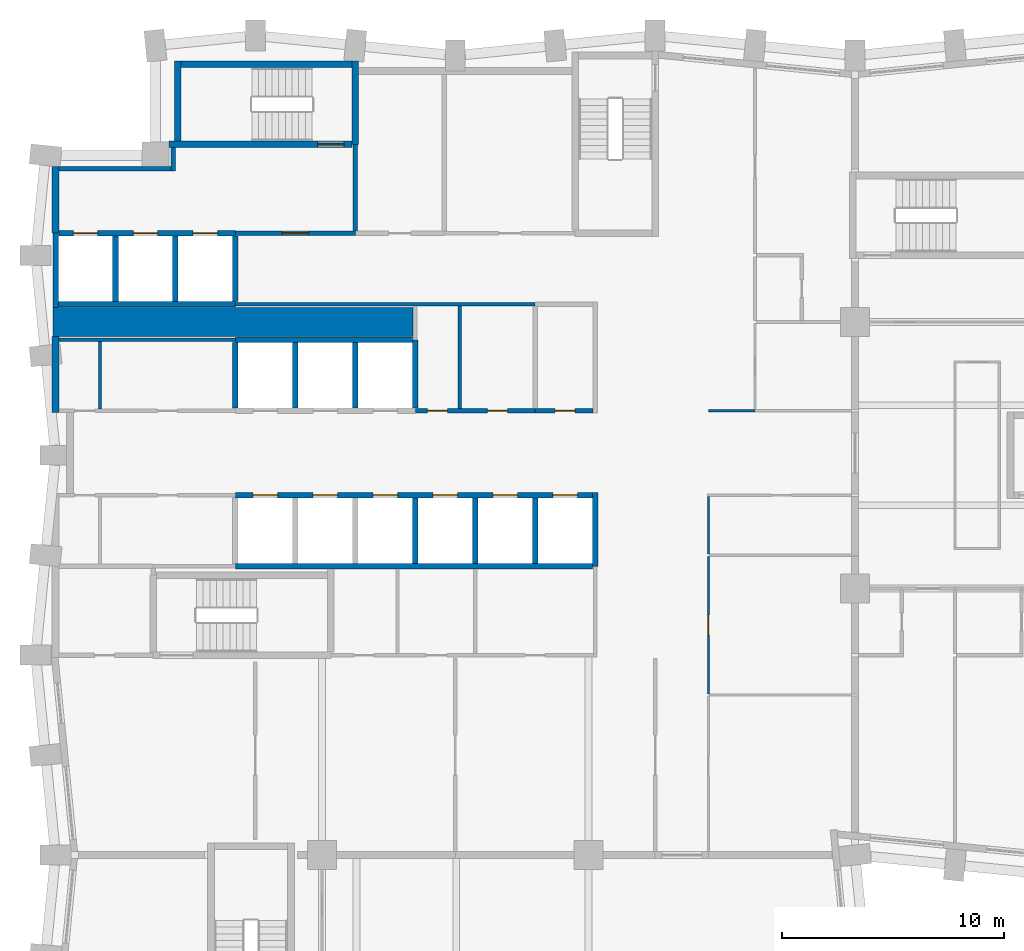
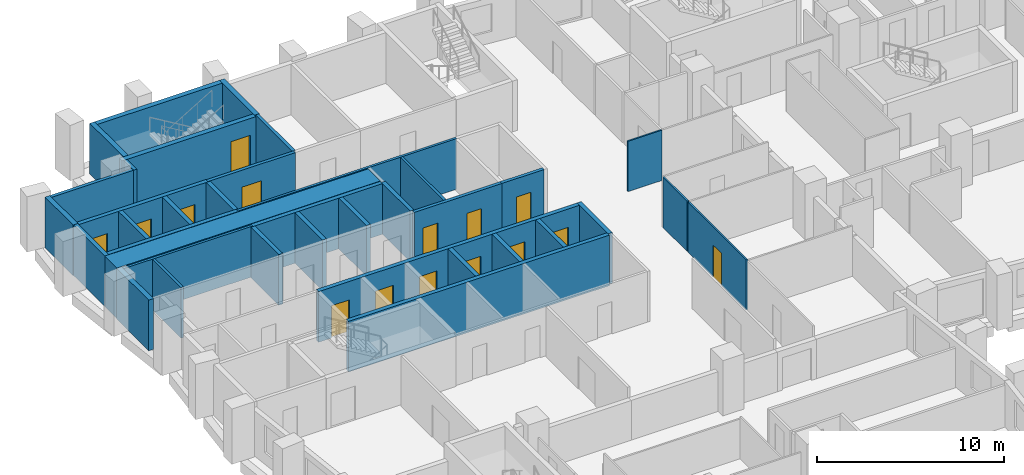
# One storey, part 6 of 12: 37 walls, 15 doors, 15 openings.
"""IFC4 building model written with IfcOpenShell, lengths in metres."""

from ifc_helpers import new_model, si_unit, direction, frame, frame_2d, origin, place, context, subcontext, project, spatial, rectangle, extrude, material, layer, layer_set, type_object, element, fill, save


model = new_model("IFC4")

# Units and contexts
model_context = context("Model", 3, precision=1e-05, world=origin(), true_north=direction((0.0, 1.0)))
body_context = subcontext(model_context, "Body", "Model", "MODEL_VIEW")
ifc_project = project(units=[si_unit("LENGTHUNIT", "METRE"), si_unit("AREAUNIT", "SQUARE_METRE"), si_unit("VOLUMEUNIT", "CUBIC_METRE"), si_unit("PLANEANGLEUNIT", "RADIAN"), si_unit("MASSUNIT", "GRAM", prefix="KILO")], contexts=[model_context])

# Site, building, storey
site_placement = place(None, origin())
site = spatial("IfcSite", under=ifc_project, at=site_placement, CompositionType="ELEMENT")
building_placement = place(site_placement, origin())
building = spatial("IfcBuilding", under=site, at=building_placement, Name="Brondeck Convention Tower", CompositionType="ELEMENT")
storey_placement = place(building_placement, frame((0.0, 0.0, 51.89990234375)))
storey = spatial("IfcBuildingStorey", under=building, at=storey_placement, Name="L10", CompositionType="ELEMENT", Elevation=51.89990234375)

# Walls
ifc_material_1 = material(Name="Concrete C80/95", Category="concrete")
ifc_layer_1 = layer(ifc_material_1, 0.300048828125)
ifc_layer_set_1 = layer_set([ifc_layer_1], Name="Core outer wall 300 Concrete C80/95")
wall_type_1 = type_object("IfcWallType", Name="Core outer wall 300 Concrete C80/95", PredefinedType="SHEAR", material=ifc_layer_set_1)
wall_1_placement = place(storey_placement, frame((0.0, 46.925048828125, 0.0), z_axis=(0.0, 0.0, 1.0), x_axis=(0.0, 1.0, 0.0)))
element("IfcWall", 1, at=wall_1_placement, inside=storey, type_object=wall_type_1, Name="L10 core wall", PredefinedType="SHEAR", context=body_context, shape_type="SweptSolid", body=[
    extrude(rectangle(XDim=3.425048828125, YDim=0.300048828125, at=frame_2d((1.71240234375, 0.0))), origin(), (0.0, 0.0, 1.0), 3.300048828125),
])
wall_2_placement = place(storey_placement, frame((0.0, 55.0, 0.0), z_axis=(0.0, 0.0, 1.0), x_axis=(0.0, 1.0, 0.0)))
element("IfcWall", 2, at=wall_2_placement, inside=storey, type_object=wall_type_1, Name="L10 core wall", PredefinedType="SHEAR", context=body_context, shape_type="SweptSolid", body=[
    extrude(rectangle(XDim=3.0, YDim=0.300048828125, at=frame_2d((1.5, 0.0))), origin(), (0.0, 0.0, 1.0), 3.300048828125),
])
ifc_material_2 = material(Name="Fire-rated gypsum board partition")
ifc_layer_2 = layer(ifc_material_2, 0.14990234375)
ifc_layer_set_2 = layer_set([ifc_layer_2], Name="Core partition 150 EI 60")
wall_type_2 = type_object("IfcWallType", Name="Core partition 150 EI 60", PredefinedType="PARTITIONING", material=ifc_layer_set_2)
wall_3_placement = place(storey_placement, frame((0.14990234375, 50.199951171875, 0.0), z_axis=(0.0, 0.0, 1.0), x_axis=(1.0, 0.0, 0.0)))
element("IfcWall", 3, at=wall_3_placement, inside=storey, type_object=wall_type_2, Name="L10 core wall", PredefinedType="PARTITIONING", context=body_context, shape_type="SweptSolid", body=[
    extrude(rectangle(XDim=7.9501953125, YDim=0.14990234375, at=frame_2d((3.97509765625, 0.0))), origin(), (0.0, 0.0, 1.0), 3.300048828125),
])
wall_4_placement = place(storey_placement, frame((8.10009765625, 51.800048828125, 0.0), z_axis=(0.0, 0.0, 1.0), x_axis=(1.0, 0.0, 0.0)))
element("IfcWall", 4, at=wall_4_placement, inside=storey, type_object=wall_type_2, Name="L10 core wall", PredefinedType="PARTITIONING", context=body_context, shape_type="SweptSolid", body=[
    extrude(rectangle(XDim=13.5, YDim=0.14990234375, at=frame_2d((6.75, 0.0))), origin(), (0.0, 0.0, 1.0), 3.300048828125),
])
wall_5_placement = place(storey_placement, frame((2.0, 47.074951171875, 0.0), z_axis=(0.0, 0.0, 1.0), x_axis=(0.0, 1.0, 0.0)))
element("IfcWall", 5, at=wall_5_placement, inside=storey, type_object=wall_type_2, Name="L10 core wall", PredefinedType="PARTITIONING", context=body_context, shape_type="SweptSolid", body=[
    extrude(rectangle(XDim=3.050048828125, YDim=0.14990234375, at=frame_2d((1.52490234375, 0.0))), origin(), (0.0, 0.0, 1.0), 3.300048828125),
])
wall_6_placement = place(storey_placement, frame((18.199951171875, 47.10009765625, 0.0), z_axis=(0.0, 0.0, 1.0), x_axis=(0.0, 1.0, 0.0)))
element("IfcWall", 6, at=wall_6_placement, inside=storey, type_object=wall_type_2, Name="L10 core wall", PredefinedType="PARTITIONING", context=body_context, shape_type="SweptSolid", body=[
    extrude(rectangle(XDim=4.625, YDim=0.14990234375, at=frame_2d((2.3125, 0.0))), origin(), (0.0, 0.0, 1.0), 3.300048828125),
])
ifc_layer_3 = layer(ifc_material_1, 1.300048828125)
ifc_layer_set_3 = layer_set([ifc_layer_3], Name="Core shear wall 1300 Concrete C80/95")
wall_type_3 = type_object("IfcWallType", Name="Core shear wall 1300 Concrete C80/95", PredefinedType="SHEAR", material=ifc_layer_set_3)
wall_7_placement = place(storey_placement, frame((-0.125, 51.0, 0.0), z_axis=(0.0, 0.0, 1.0), x_axis=(1.0, 0.0, 0.0)))
element("IfcWall", 7, at=wall_7_placement, inside=storey, type_object=wall_type_3, Name="L10 core wall", PredefinedType="SHEAR", context=body_context, shape_type="SweptSolid", body=[
    extrude(rectangle(XDim=16.22509765625, YDim=1.300048828125, at=frame_2d((8.112548828125, 0.0))), origin(), (0.0, 0.0, 1.0), 3.300048828125),
])

# Wall, opening, door
ifc_layer_4 = layer(ifc_material_2, 0.199951171875)
ifc_layer_set_4 = layer_set([ifc_layer_4], Name="Firefighting lobby wall 200 EI 120")
wall_type_4 = type_object("IfcWallType", Name="Firefighting lobby wall 200 EI 120", PredefinedType="PARTITIONING", material=ifc_layer_set_4)
wall_8_placement = place(storey_placement, frame((8.10009765625, 55.0, 0.0), z_axis=(0.0, 0.0, 1.0), x_axis=(1.0, 0.0, 0.0)))
wall_8 = element("IfcWall", 8, at=wall_8_placement, inside=storey, type_object=wall_type_4, Name="L10 core wall", PredefinedType="PARTITIONING", context=body_context, shape_type="SweptSolid", body=[
    extrude(rectangle(XDim=5.39990234375, YDim=0.199951171875, at=frame_2d((2.699951171875, 0.0))), origin(), (0.0, 0.0, 1.0), 3.300048828125),
])
opening_1_placement = place(wall_8_placement, frame((2.10009765625, 0.0, 0.0)))
opening_1 = element("IfcOpeningElement", 9, at=opening_1_placement, cuts=wall_8, Name="Opening C09-01", PredefinedType="OPENING", context=body_context, shape_type="SweptSolid", body=[
    extrude(rectangle(XDim=1.199951171875, YDim=2.199951171875, at=frame_2d((0.60009765625, 1.10009765625))), frame((0.0, 0.10986328125, 0.0), z_axis=(0.0, -1.0, 0.0), x_axis=(1.0, 0.0, 0.0)), (0.0, 0.0, 1.0), 0.219970703125),
])
ifc_material_3 = material(Name="Steel fire door", Category="steel")
door_type_1 = type_object("IfcDoorType", Name="Firefighting lobby door 1200x2200 EI 120", OperationType="NOTDEFINED", PredefinedType="DOOR", material=ifc_material_3)
door_1_placement = place(opening_1_placement, origin())
door_1 = element("IfcDoor", 10, at=door_1_placement, inside=storey, type_object=door_type_1, Name="L10 Firefighting lobby door FFL-1", OperationType="SINGLE_SWING_RIGHT", OverallHeight=2.199951171875, OverallWidth=1.199951171875, PredefinedType="DOOR", context=body_context, shape_type="SweptSolid", body=[
    extrude(rectangle(XDim=1.199951171875, YDim=2.199951171875, at=frame_2d((0.60009765625, 1.10009765625))), frame((0.0, 0.02490234375, 0.0), z_axis=(0.0, -1.0, 0.0), x_axis=(1.0, 0.0, 0.0)), (0.0, 0.0, 1.0), 0.050048828125),
])
fill(opening_1, door_1)

# Walls
wall_9_placement = place(storey_placement, frame((0.14990234375, 57.89990234375, 0.0), z_axis=(0.0, 0.0, 1.0), x_axis=(1.0, 0.0, 0.0)))
element("IfcWall", 11, at=wall_9_placement, inside=storey, type_object=wall_type_4, Name="L10 core wall", PredefinedType="PARTITIONING", context=body_context, shape_type="SweptSolid", body=[
    extrude(rectangle(XDim=5.050048828125, YDim=0.199951171875, at=frame_2d((2.52490234375, 0.0))), origin(), (0.0, 0.0, 1.0), 3.300048828125),
])
wall_10_placement = place(storey_placement, frame((5.300048828125, 57.800048828125, 0.0), z_axis=(0.0, 0.0, 1.0), x_axis=(0.0, 1.0, 0.0)))
element("IfcWall", 12, at=wall_10_placement, inside=storey, type_object=wall_type_4, Name="L10 core wall", PredefinedType="PARTITIONING", context=body_context, shape_type="SweptSolid", body=[
    extrude(rectangle(XDim=1.050048828125, YDim=0.199951171875, at=frame_2d((0.52490234375, 0.0))), origin(), (0.0, 0.0, 1.0), 3.300048828125),
])
wall_11_placement = place(storey_placement, frame((13.5, 55.10009765625, 0.0), z_axis=(0.0, 0.0, 1.0), x_axis=(0.0, 1.0, 0.0)))
element("IfcWall", 13, at=wall_11_placement, inside=storey, type_object=wall_type_4, Name="L10 core wall", PredefinedType="PARTITIONING", context=body_context, shape_type="SweptSolid", body=[
    extrude(rectangle(XDim=3.89990234375, YDim=0.199951171875, at=frame_2d((1.949951171875, 0.0))), origin(), (0.0, 0.0, 1.0), 3.300048828125),
])

# Wall, openings, doors
ifc_layer_5 = layer(ifc_material_2, 0.199951171875)
ifc_layer_set_5 = layer_set([ifc_layer_5], Name="Lift lobby wall 200 EI 60")
wall_type_5 = type_object("IfcWallType", Name="Lift lobby wall 200 EI 60", PredefinedType="PARTITIONING", material=ifc_layer_set_5)
wall_12_placement = place(storey_placement, frame((16.199951171875, 47.0, 0.0), z_axis=(0.0, 0.0, 1.0), x_axis=(1.0, 0.0, 0.0)))
wall_12 = element("IfcWall", 14, at=wall_12_placement, inside=storey, type_object=wall_type_5, Name="L10 core wall", PredefinedType="PARTITIONING", context=body_context, shape_type="SweptSolid", body=[
    extrude(rectangle(XDim=5.400146484375, YDim=0.199951171875, at=frame_2d((2.7001953125, 0.0))), origin(), (0.0, 0.0, 1.0), 3.300048828125),
])
opening_2_placement = place(wall_12_placement, frame((0.550048828125, 0.0, 0.0)))
opening_2 = element("IfcOpeningElement", 15, at=opening_2_placement, cuts=wall_12, Name="Opening C09-09", PredefinedType="OPENING", context=body_context, shape_type="SweptSolid", body=[
    extrude(rectangle(XDim=0.89990234375, YDim=2.10009765625, at=frame_2d((0.449951171875, 1.050048828125))), frame((0.0, 0.10986328125, 0.0), z_axis=(0.0, -1.0, 0.0), x_axis=(1.0, 0.0, 0.0)), (0.0, 0.0, 1.0), 0.219970703125),
])
opening_3_placement = place(wall_12_placement, frame((3.25, 0.0, 0.0)))
opening_3 = element("IfcOpeningElement", 16, at=opening_3_placement, cuts=wall_12, Name="Opening C09-10", PredefinedType="OPENING", context=body_context, shape_type="SweptSolid", body=[
    extrude(rectangle(XDim=0.89990234375, YDim=2.10009765625, at=frame_2d((0.449951171875, 1.050048828125))), frame((0.0, 0.10986328125, 0.0), z_axis=(0.0, -1.0, 0.0), x_axis=(1.0, 0.0, 0.0)), (0.0, 0.0, 1.0), 0.219970703125),
])
door_type_2 = type_object("IfcDoorType", Name="Room door 900x2100 EI 60", OperationType="NOTDEFINED", PredefinedType="DOOR", material=ifc_material_3)
door_2_placement = place(opening_2_placement, origin())
door_2 = element("IfcDoor", 17, at=door_2_placement, inside=storey, type_object=door_type_2, Name="L10 Room door FZ-N-16.2-1", OperationType="SINGLE_SWING_LEFT", OverallHeight=2.10009765625, OverallWidth=0.89990234375, PredefinedType="DOOR", context=body_context, shape_type="SweptSolid", body=[
    extrude(rectangle(XDim=0.89990234375, YDim=2.10009765625, at=frame_2d((0.449951171875, 1.050048828125))), frame((0.0, 0.02490234375, 0.0), z_axis=(0.0, -1.0, 0.0), x_axis=(1.0, 0.0, 0.0)), (0.0, 0.0, 1.0), 0.050048828125),
])
fill(opening_2, door_2)
door_3_placement = place(opening_3_placement, origin())
door_3 = element("IfcDoor", 18, at=door_3_placement, inside=storey, type_object=door_type_2, Name="L10 Room door FZ-N-16.2-2", OperationType="SINGLE_SWING_RIGHT", OverallHeight=2.10009765625, OverallWidth=0.89990234375, PredefinedType="DOOR", context=body_context, shape_type="SweptSolid", body=[
    extrude(rectangle(XDim=0.89990234375, YDim=2.10009765625, at=frame_2d((0.449951171875, 1.050048828125))), frame((0.0, 0.02490234375, 0.0), z_axis=(0.0, -1.0, 0.0), x_axis=(1.0, 0.0, 0.0)), (0.0, 0.0, 1.0), 0.050048828125),
])
fill(opening_3, door_3)

# Wall
ifc_layer_6 = layer(ifc_material_1, 0.25)
ifc_layer_set_6 = layer_set([ifc_layer_6], Name="Lift shaft wall 250 Concrete C80/95")
wall_type_6 = type_object("IfcWallType", Name="Lift shaft wall 250 Concrete C80/95", PredefinedType="SHEAR", material=ifc_layer_set_6)
wall_13_placement = place(storey_placement, frame((8.10009765625, 40.0, 0.0), z_axis=(0.0, 0.0, 1.0), x_axis=(1.0, 0.0, 0.0)))
element("IfcWall", 19, at=wall_13_placement, inside=storey, type_object=wall_type_6, Name="L10 core wall", PredefinedType="SHEAR", context=body_context, shape_type="SweptSolid", body=[
    extrude(rectangle(XDim=16.074951171875, YDim=0.25, at=frame_2d((8.03759765625, 0.0))), origin(), (0.0, 0.0, 1.0), 3.300048828125),
])

# Wall, openings, doors
wall_14_placement = place(storey_placement, frame((8.10009765625, 43.199951171875, 0.0), z_axis=(0.0, 0.0, 1.0), x_axis=(1.0, 0.0, 0.0)))
wall_14 = element("IfcWall", 20, at=wall_14_placement, inside=storey, type_object=wall_type_6, Name="L10 core wall", PredefinedType="SHEAR", context=body_context, shape_type="SweptSolid", body=[
    extrude(rectangle(XDim=16.074951171875, YDim=0.25, at=frame_2d((8.03759765625, 0.0))), origin(), (0.0, 0.0, 1.0), 3.300048828125),
])
opening_4_placement = place(wall_14_placement, frame((14.300048828125, 0.0, 0.0)))
opening_4 = element("IfcOpeningElement", 21, at=opening_4_placement, cuts=wall_14, Name="Opening C09-25", PredefinedType="OPENING", context=body_context, shape_type="SweptSolid", body=[
    extrude(rectangle(XDim=1.10009765625, YDim=2.10009765625, at=frame_2d((0.550048828125, 1.050048828125))), frame((0.0, 0.135009765625, 0.0), z_axis=(0.0, -1.0, 0.0), x_axis=(1.0, 0.0, 0.0)), (0.0, 0.0, 1.0), 0.27001953125),
])
opening_5_placement = place(wall_14_placement, frame((0.800048828125, 0.0, 0.0)))
opening_5 = element("IfcOpeningElement", 22, at=opening_5_placement, cuts=wall_14, Name="Opening C09-26", PredefinedType="OPENING", context=body_context, shape_type="SweptSolid", body=[
    extrude(rectangle(XDim=1.10009765625, YDim=2.10009765625, at=frame_2d((0.550048828125, 1.050048828125))), frame((0.0, 0.135009765625, 0.0), z_axis=(0.0, -1.0, 0.0), x_axis=(1.0, 0.0, 0.0)), (0.0, 0.0, 1.0), 0.27001953125),
])
opening_6_placement = place(wall_14_placement, frame((3.5, 0.0, 0.0)))
opening_6 = element("IfcOpeningElement", 23, at=opening_6_placement, cuts=wall_14, Name="Opening C09-27", PredefinedType="OPENING", context=body_context, shape_type="SweptSolid", body=[
    extrude(rectangle(XDim=1.10009765625, YDim=2.10009765625, at=frame_2d((0.550048828125, 1.050048828125))), frame((0.0, 0.135009765625, 0.0), z_axis=(0.0, -1.0, 0.0), x_axis=(1.0, 0.0, 0.0)), (0.0, 0.0, 1.0), 0.27001953125),
])
opening_7_placement = place(wall_14_placement, frame((6.199951171875, 0.0, 0.0)))
opening_7 = element("IfcOpeningElement", 24, at=opening_7_placement, cuts=wall_14, Name="Opening C09-28", PredefinedType="OPENING", context=body_context, shape_type="SweptSolid", body=[
    extrude(rectangle(XDim=1.10009765625, YDim=2.10009765625, at=frame_2d((0.550048828125, 1.050048828125))), frame((0.0, 0.135009765625, 0.0), z_axis=(0.0, -1.0, 0.0), x_axis=(1.0, 0.0, 0.0)), (0.0, 0.0, 1.0), 0.27001953125),
])
opening_8_placement = place(wall_14_placement, frame((8.89990234375, 0.0, 0.0)))
opening_8 = element("IfcOpeningElement", 25, at=opening_8_placement, cuts=wall_14, Name="Opening C09-32", PredefinedType="OPENING", context=body_context, shape_type="SweptSolid", body=[
    extrude(rectangle(XDim=1.10009765625, YDim=2.10009765625, at=frame_2d((0.550048828125, 1.050048828125))), frame((0.0, 0.135009765625, 0.0), z_axis=(0.0, -1.0, 0.0), x_axis=(1.0, 0.0, 0.0)), (0.0, 0.0, 1.0), 0.27001953125),
])
opening_9_placement = place(wall_14_placement, frame((11.60009765625, 0.0, 0.0)))
opening_9 = element("IfcOpeningElement", 26, at=opening_9_placement, cuts=wall_14, Name="Opening C09-33", PredefinedType="OPENING", context=body_context, shape_type="SweptSolid", body=[
    extrude(rectangle(XDim=1.10009765625, YDim=2.10009765625, at=frame_2d((0.550048828125, 1.050048828125))), frame((0.0, 0.135009765625, 0.0), z_axis=(0.0, -1.0, 0.0), x_axis=(1.0, 0.0, 0.0)), (0.0, 0.0, 1.0), 0.27001953125),
])
ifc_material_4 = material(Name="Stainless steel lift door", Category="steel")
door_type_3 = type_object("IfcDoorType", Name="Lift landing door 1100x2100 EI 180", OperationType="DOUBLE_DOOR_SLIDING", PredefinedType="DOOR", material=ifc_material_4)
door_4_placement = place(opening_4_placement, origin())
door_4 = element("IfcDoor", 27, at=door_4_placement, inside=storey, type_object=door_type_3, Name="L10 Lift landing door HS1", OperationType="DOUBLE_DOOR_SLIDING", OverallHeight=2.10009765625, OverallWidth=1.10009765625, PredefinedType="DOOR", context=body_context, shape_type="SweptSolid", body=[
    extrude(rectangle(XDim=1.10009765625, YDim=2.10009765625, at=frame_2d((0.550048828125, 1.050048828125))), frame((0.0, 0.02490234375, 0.0), z_axis=(0.0, -1.0, 0.0), x_axis=(1.0, 0.0, 0.0)), (0.0, 0.0, 1.0), 0.050048828125),
])
fill(opening_4, door_4)
door_5_placement = place(opening_5_placement, origin())
door_5 = element("IfcDoor", 28, at=door_5_placement, inside=storey, type_object=door_type_3, Name="L10 Lift landing door LR1", OperationType="DOUBLE_DOOR_SLIDING", OverallHeight=2.10009765625, OverallWidth=1.10009765625, PredefinedType="DOOR", context=body_context, shape_type="SweptSolid", body=[
    extrude(rectangle(XDim=1.10009765625, YDim=2.10009765625, at=frame_2d((0.550048828125, 1.050048828125))), frame((0.0, 0.02490234375, 0.0), z_axis=(0.0, -1.0, 0.0), x_axis=(1.0, 0.0, 0.0)), (0.0, 0.0, 1.0), 0.050048828125),
])
fill(opening_5, door_5)
door_6_placement = place(opening_6_placement, origin())
door_6 = element("IfcDoor", 29, at=door_6_placement, inside=storey, type_object=door_type_3, Name="L10 Lift landing door LR2", OperationType="DOUBLE_DOOR_SLIDING", OverallHeight=2.10009765625, OverallWidth=1.10009765625, PredefinedType="DOOR", context=body_context, shape_type="SweptSolid", body=[
    extrude(rectangle(XDim=1.10009765625, YDim=2.10009765625, at=frame_2d((0.550048828125, 1.050048828125))), frame((0.0, 0.02490234375, 0.0), z_axis=(0.0, -1.0, 0.0), x_axis=(1.0, 0.0, 0.0)), (0.0, 0.0, 1.0), 0.050048828125),
])
fill(opening_6, door_6)
door_7_placement = place(opening_7_placement, origin())
door_7 = element("IfcDoor", 30, at=door_7_placement, inside=storey, type_object=door_type_3, Name="L10 Lift landing door LR3", OperationType="DOUBLE_DOOR_SLIDING", OverallHeight=2.10009765625, OverallWidth=1.10009765625, PredefinedType="DOOR", context=body_context, shape_type="SweptSolid", body=[
    extrude(rectangle(XDim=1.10009765625, YDim=2.10009765625, at=frame_2d((0.550048828125, 1.050048828125))), frame((0.0, 0.02490234375, 0.0), z_axis=(0.0, -1.0, 0.0), x_axis=(1.0, 0.0, 0.0)), (0.0, 0.0, 1.0), 0.050048828125),
])
fill(opening_7, door_7)
door_8_placement = place(opening_8_placement, origin())
door_8 = element("IfcDoor", 31, at=door_8_placement, inside=storey, type_object=door_type_3, Name="L10 Lift landing door SH1", OperationType="DOUBLE_DOOR_SLIDING", OverallHeight=2.10009765625, OverallWidth=1.10009765625, PredefinedType="DOOR", context=body_context, shape_type="SweptSolid", body=[
    extrude(rectangle(XDim=1.10009765625, YDim=2.10009765625, at=frame_2d((0.550048828125, 1.050048828125))), frame((0.0, 0.02490234375, 0.0), z_axis=(0.0, -1.0, 0.0), x_axis=(1.0, 0.0, 0.0)), (0.0, 0.0, 1.0), 0.050048828125),
])
fill(opening_8, door_8)
door_9_placement = place(opening_9_placement, origin())
door_9 = element("IfcDoor", 32, at=door_9_placement, inside=storey, type_object=door_type_3, Name="L10 Lift landing door SH2", OperationType="DOUBLE_DOOR_SLIDING", OverallHeight=2.10009765625, OverallWidth=1.10009765625, PredefinedType="DOOR", context=body_context, shape_type="SweptSolid", body=[
    extrude(rectangle(XDim=1.10009765625, YDim=2.10009765625, at=frame_2d((0.550048828125, 1.050048828125))), frame((0.0, 0.02490234375, 0.0), z_axis=(0.0, -1.0, 0.0), x_axis=(1.0, 0.0, 0.0)), (0.0, 0.0, 1.0), 0.050048828125),
])
fill(opening_9, door_9)

# Walls
wall_15_placement = place(storey_placement, frame((8.10009765625, 50.199951171875, 0.0), z_axis=(0.0, 0.0, 1.0), x_axis=(1.0, 0.0, 0.0)))
element("IfcWall", 33, at=wall_15_placement, inside=storey, type_object=wall_type_6, Name="L10 core wall", PredefinedType="SHEAR", context=body_context, shape_type="SweptSolid", body=[
    extrude(rectangle(XDim=7.974853515625, YDim=0.25, at=frame_2d((3.9873046875, 0.0))), origin(), (0.0, 0.0, 1.0), 3.300048828125),
])
wall_16_placement = place(storey_placement, frame((0.125, 51.800048828125, 0.0), z_axis=(0.0, 0.0, 1.0), x_axis=(1.0, 0.0, 0.0)))
element("IfcWall", 34, at=wall_16_placement, inside=storey, type_object=wall_type_6, Name="L10 core wall", PredefinedType="SHEAR", context=body_context, shape_type="SweptSolid", body=[
    extrude(rectangle(XDim=7.97509765625, YDim=0.25, at=frame_2d((3.987548828125, 0.0))), origin(), (0.0, 0.0, 1.0), 3.300048828125),
])

# Wall, openings, doors
wall_17_placement = place(storey_placement, frame((0.14990234375, 55.0, 0.0), z_axis=(0.0, 0.0, 1.0), x_axis=(1.0, 0.0, 0.0)))
wall_17 = element("IfcWall", 35, at=wall_17_placement, inside=storey, type_object=wall_type_6, Name="L10 core wall", PredefinedType="SHEAR", context=body_context, shape_type="SweptSolid", body=[
    extrude(rectangle(XDim=7.9501953125, YDim=0.25, at=frame_2d((3.97509765625, 0.0))), origin(), (0.0, 0.0, 1.0), 3.300048828125),
])
opening_10_placement = place(wall_17_placement, frame((0.64990234375, 0.0, 0.0)))
opening_10 = element("IfcOpeningElement", 36, at=opening_10_placement, cuts=wall_17, Name="Opening C09-22", PredefinedType="OPENING", context=body_context, shape_type="SweptSolid", body=[
    extrude(rectangle(XDim=1.10009765625, YDim=2.10009765625, at=frame_2d((0.550048828125, 1.050048828125))), frame((0.0, 0.135009765625, 0.0), z_axis=(0.0, -1.0, 0.0), x_axis=(1.0, 0.0, 0.0)), (0.0, 0.0, 1.0), 0.27001953125),
])
opening_11_placement = place(wall_17_placement, frame((3.35009765625, 0.0, 0.0)))
opening_11 = element("IfcOpeningElement", 37, at=opening_11_placement, cuts=wall_17, Name="Opening C09-23", PredefinedType="OPENING", context=body_context, shape_type="SweptSolid", body=[
    extrude(rectangle(XDim=1.10009765625, YDim=2.10009765625, at=frame_2d((0.550048828125, 1.050048828125))), frame((0.0, 0.135009765625, 0.0), z_axis=(0.0, -1.0, 0.0), x_axis=(1.0, 0.0, 0.0)), (0.0, 0.0, 1.0), 0.27001953125),
])
opening_12_placement = place(wall_17_placement, frame((6.050048828125, 0.0, 0.0)))
opening_12 = element("IfcOpeningElement", 38, at=opening_12_placement, cuts=wall_17, Name="Opening C09-24", PredefinedType="OPENING", context=body_context, shape_type="SweptSolid", body=[
    extrude(rectangle(XDim=1.10009765625, YDim=2.10009765625, at=frame_2d((0.550048828125, 1.050048828125))), frame((0.0, 0.135009765625, 0.0), z_axis=(0.0, -1.0, 0.0), x_axis=(1.0, 0.0, 0.0)), (0.0, 0.0, 1.0), 0.27001953125),
])
door_10_placement = place(opening_10_placement, origin())
door_10 = element("IfcDoor", 39, at=door_10_placement, inside=storey, type_object=door_type_3, Name="L10 Lift landing door FF1", OperationType="DOUBLE_DOOR_SLIDING", OverallHeight=2.10009765625, OverallWidth=1.10009765625, PredefinedType="DOOR", context=body_context, shape_type="SweptSolid", body=[
    extrude(rectangle(XDim=1.10009765625, YDim=2.10009765625, at=frame_2d((0.550048828125, 1.050048828125))), frame((0.0, 0.02490234375, 0.0), z_axis=(0.0, -1.0, 0.0), x_axis=(1.0, 0.0, 0.0)), (0.0, 0.0, 1.0), 0.050048828125),
])
fill(opening_10, door_10)
door_11_placement = place(opening_11_placement, origin())
door_11 = element("IfcDoor", 40, at=door_11_placement, inside=storey, type_object=door_type_3, Name="L10 Lift landing door FF2", OperationType="DOUBLE_DOOR_SLIDING", OverallHeight=2.10009765625, OverallWidth=1.10009765625, PredefinedType="DOOR", context=body_context, shape_type="SweptSolid", body=[
    extrude(rectangle(XDim=1.10009765625, YDim=2.10009765625, at=frame_2d((0.550048828125, 1.050048828125))), frame((0.0, 0.02490234375, 0.0), z_axis=(0.0, -1.0, 0.0), x_axis=(1.0, 0.0, 0.0)), (0.0, 0.0, 1.0), 0.050048828125),
])
fill(opening_11, door_11)
door_12_placement = place(opening_12_placement, origin())
door_12 = element("IfcDoor", 41, at=door_12_placement, inside=storey, type_object=door_type_3, Name="L10 Lift landing door FF3", OperationType="DOUBLE_DOOR_SLIDING", OverallHeight=2.10009765625, OverallWidth=1.10009765625, PredefinedType="DOOR", context=body_context, shape_type="SweptSolid", body=[
    extrude(rectangle(XDim=1.10009765625, YDim=2.10009765625, at=frame_2d((0.550048828125, 1.050048828125))), frame((0.0, 0.02490234375, 0.0), z_axis=(0.0, -1.0, 0.0), x_axis=(1.0, 0.0, 0.0)), (0.0, 0.0, 1.0), 0.050048828125),
])
fill(opening_12, door_12)

# Walls
wall_18_placement = place(storey_placement, frame((0.0, 51.64990234375, 0.0), z_axis=(0.0, 0.0, 1.0), x_axis=(0.0, 1.0, 0.0)))
element("IfcWall", 42, at=wall_18_placement, inside=storey, type_object=wall_type_6, Name="L10 core wall", PredefinedType="SHEAR", context=body_context, shape_type="SweptSolid", body=[
    extrude(rectangle(XDim=3.35009765625, YDim=0.25, at=frame_2d((1.675048828125, 0.0))), origin(), (0.0, 0.0, 1.0), 3.300048828125),
])
for number, where, z_axis, x_axis, name in (
    (43, (2.699951171875, 51.925048828125, 0.0), (0.0, 0.0, 1.0), (0.0, 1.0, 0.0), "L10 core wall"),
    (44, (5.39990234375, 51.925048828125, 0.0), (0.0, 0.0, 1.0), (0.0, 1.0, 0.0), "L10 core wall"),
    (45, (8.10009765625, 47.125, 0.0), (0.0, 0.0, 1.0), (0.0, 1.0, 0.0), "L10 core wall"),
    (46, (8.10009765625, 51.925048828125, 0.0), (0.0, 0.0, 1.0), (0.0, 1.0, 0.0), "L10 core wall"),
    (47, (10.800048828125, 47.125, 0.0), (0.0, 0.0, 1.0), (0.0, 1.0, 0.0), "L10 core wall"),
    (48, (13.5, 47.125, 0.0), (0.0, 0.0, 1.0), (0.0, 1.0, 0.0), "L10 core wall"),
    (49, (16.199951171875, 40.125, 0.0), (0.0, 0.0, 1.0), (0.0, 1.0, 0.0), "L10 core wall"),
):
    element("IfcWall", number, at=place(storey_placement, frame(where, z_axis=z_axis, x_axis=x_axis)), inside=storey, type_object=wall_type_6, Name=name, PredefinedType="SHEAR", context=body_context, shape_type="SweptSolid", body=[
        extrude(rectangle(XDim=2.949951171875, YDim=0.25, at=frame_2d((1.47509765625, 0.0))), origin(), (0.0, 0.0, 1.0), 3.300048828125),
    ])
wall_19_placement = place(storey_placement, frame((16.199951171875, 47.125, 0.0), z_axis=(0.0, 0.0, 1.0), x_axis=(0.0, 1.0, 0.0)))
element("IfcWall", 50, at=wall_19_placement, inside=storey, type_object=wall_type_6, Name="L10 core wall", PredefinedType="SHEAR", context=body_context, shape_type="SweptSolid", body=[
    extrude(rectangle(XDim=3.074951171875, YDim=0.25, at=frame_2d((1.53759765625, 0.0))), origin(), (0.0, 0.0, 1.0), 3.300048828125),
])
for number, where, z_axis, x_axis, name in (
    (51, (18.89990234375, 40.125, 0.0), (0.0, 0.0, 1.0), (0.0, 1.0, 0.0), "L10 core wall"),
    (52, (21.60009765625, 40.125, 0.0), (0.0, 0.0, 1.0), (0.0, 1.0, 0.0), "L10 core wall"),
):
    element("IfcWall", number, at=place(storey_placement, frame(where, z_axis=z_axis, x_axis=x_axis)), inside=storey, type_object=wall_type_6, Name=name, PredefinedType="SHEAR", context=body_context, shape_type="SweptSolid", body=[
        extrude(rectangle(XDim=2.949951171875, YDim=0.25, at=frame_2d((1.47509765625, 0.0))), origin(), (0.0, 0.0, 1.0), 3.300048828125),
    ])
wall_20_placement = place(storey_placement, frame((24.300048828125, 40.0, 0.0), z_axis=(0.0, 0.0, 1.0), x_axis=(0.0, 1.0, 0.0)))
element("IfcWall", 53, at=wall_20_placement, inside=storey, type_object=wall_type_6, Name="L10 core wall", PredefinedType="SHEAR", context=body_context, shape_type="SweptSolid", body=[
    extrude(rectangle(XDim=3.324951171875, YDim=0.25, at=frame_2d((1.66259765625, 0.0))), origin(), (0.0, 0.0, 1.0), 3.300048828125),
])

# Wall, opening, door
ifc_layer_7 = layer(ifc_material_2, 0.199951171875)
ifc_layer_set_7 = layer_set([ifc_layer_7], Name="Riser wall 200 EI 120")
wall_type_7 = type_object("IfcWallType", Name="Riser wall 200 EI 120", PredefinedType="PARTITIONING", material=ifc_layer_set_7)
wall_21_placement = place(storey_placement, frame((21.60009765625, 47.0, 0.0), z_axis=(0.0, 0.0, 1.0), x_axis=(1.0, 0.0, 0.0)))
wall_21 = element("IfcWall", 54, at=wall_21_placement, inside=storey, type_object=wall_type_7, Name="L10 core wall", PredefinedType="PARTITIONING", context=body_context, shape_type="SweptSolid", body=[
    extrude(rectangle(XDim=2.599853515625, YDim=0.199951171875, at=frame_2d((1.2998046875, 0.0))), origin(), (0.0, 0.0, 1.0), 3.300048828125),
])
opening_13_placement = place(wall_21_placement, frame((0.89990234375, 0.0, 0.0)))
opening_13 = element("IfcOpeningElement", 55, at=opening_13_placement, cuts=wall_21, Name="Opening C09-02", PredefinedType="OPENING", context=body_context, shape_type="SweptSolid", body=[
    extrude(rectangle(XDim=0.89990234375, YDim=2.10009765625, at=frame_2d((0.449951171875, 1.050048828125))), frame((0.0, 0.10986328125, 0.0), z_axis=(0.0, -1.0, 0.0), x_axis=(1.0, 0.0, 0.0)), (0.0, 0.0, 1.0), 0.219970703125),
])
door_type_4 = type_object("IfcDoorType", Name="Riser door 900x2100 EI 120", OperationType="NOTDEFINED", PredefinedType="DOOR", material=ifc_material_3)
door_13_placement = place(opening_13_placement, origin())
door_13 = element("IfcDoor", 56, at=door_13_placement, inside=storey, type_object=door_type_4, Name="L10 Riser door EN-1", OperationType="SINGLE_SWING_LEFT", OverallHeight=2.10009765625, OverallWidth=0.89990234375, PredefinedType="DOOR", context=body_context, shape_type="SweptSolid", body=[
    extrude(rectangle(XDim=0.89990234375, YDim=2.10009765625, at=frame_2d((0.449951171875, 1.050048828125))), frame((0.0, 0.02490234375, 0.0), z_axis=(0.0, -1.0, 0.0), x_axis=(1.0, 0.0, 0.0)), (0.0, 0.0, 1.0), 0.050048828125),
])
fill(opening_13, door_13)

ifc_material_5 = material(Name="Gypsum board partition on steel studs", Category="steel")
ifc_layer_8 = layer(ifc_material_5, 0.10009765625)
ifc_layer_set_8 = layer_set([ifc_layer_8], Name="Room partition 100")
wall_type_8 = type_object("IfcWallType", Name="Room partition 100", PredefinedType="PARTITIONING", material=ifc_layer_set_8)
wall_22_placement = place(storey_placement, frame((29.39990234375, 40.449951171875, 0.0), z_axis=(0.0, 0.0, 1.0), x_axis=(0.0, -1.0, 0.0)))
wall_22 = element("IfcWall", 57, at=wall_22_placement, inside=storey, type_object=wall_type_8, Name="FLR-L10-W078", PredefinedType="PARTITIONING", context=body_context, shape_type="SweptSolid", body=[
    extrude(rectangle(XDim=6.199951171875, YDim=0.10009765625, at=frame_2d((3.10009765625, 0.0))), origin(), (0.0, 0.0, 1.0), 3.280029296875),
])
opening_14_placement = place(wall_22_placement, frame((2.64990234375, 0.0, 0.0)))
opening_14 = element("IfcOpeningElement", 58, at=opening_14_placement, cuts=wall_22, Name="Opening H2-037", PredefinedType="OPENING", context=body_context, shape_type="SweptSolid", body=[
    extrude(rectangle(XDim=0.89990234375, YDim=2.10009765625, at=frame_2d((0.449951171875, 1.050048828125))), frame((0.0, 0.06005859375, 0.0), z_axis=(0.0, -1.0, 0.0), x_axis=(1.0, 0.0, 0.0)), (0.0, 0.0, 1.0), 0.1201171875),
])
ifc_material_6 = material(Name="Solid timber door leaf", Category="wood")
door_type_5 = type_object("IfcDoorType", Name="Single door 900", OperationType="NOTDEFINED", PredefinedType="DOOR", material=ifc_material_6)
door_14_placement = place(opening_14_placement, origin())
door_14 = element("IfcDoor", 59, at=door_14_placement, inside=storey, type_object=door_type_5, Name="Door H2-037", OperationType="SINGLE_SWING_LEFT", OverallHeight=2.10009765625, OverallWidth=0.89990234375, PredefinedType="DOOR", context=body_context, shape_type="SweptSolid", body=[
    extrude(rectangle(XDim=0.89990234375, YDim=2.10009765625, at=frame_2d((0.449951171875, 1.050048828125))), frame((0.0, 0.02490234375, 0.0), z_axis=(0.0, -1.0, 0.0), x_axis=(1.0, 0.0, 0.0)), (0.0, 0.0, 1.0), 0.050048828125),
])
fill(opening_14, door_14)

# Walls
wall_23_placement = place(storey_placement, frame((29.39990234375, 43.14990234375, 0.0), z_axis=(0.0, 0.0, 1.0), x_axis=(0.0, -1.0, 0.0)))
element("IfcWall", 60, at=wall_23_placement, inside=storey, type_object=wall_type_8, Name="FLR-L10-W085", PredefinedType="PARTITIONING", context=body_context, shape_type="SweptSolid", body=[
    extrude(rectangle(XDim=2.599853515625, YDim=0.10009765625, at=frame_2d((1.2998046875, 0.0))), origin(), (0.0, 0.0, 1.0), 3.280029296875),
])
wall_24_placement = place(storey_placement, frame((29.39990234375, 47.0, 0.0), z_axis=(0.0, 0.0, 1.0), x_axis=(1.0, 0.0, 0.0)))
element("IfcWall", 61, at=wall_24_placement, inside=storey, type_object=wall_type_8, Name="FLR-L10-W091", PredefinedType="PARTITIONING", context=body_context, shape_type="SweptSolid", body=[
    extrude(rectangle(XDim=2.10009765625, YDim=0.10009765625, at=frame_2d((1.050048828125, 0.0))), origin(), (0.0, 0.0, 1.0), 3.280029296875),
])

# Wall, opening, door
ifc_layer_9 = layer(ifc_material_1, 0.300048828125)
ifc_layer_set_9 = layer_set([ifc_layer_9], Name="Stair enclosure wall 300 Concrete C80/95")
wall_type_9 = type_object("IfcWallType", Name="Stair enclosure wall 300 Concrete C80/95", PredefinedType="SHEAR", material=ifc_layer_set_9)
wall_25_placement = place(storey_placement, frame((5.10009765625, 59.0, 0.0), z_axis=(0.0, 0.0, 1.0), x_axis=(1.0, 0.0, 0.0)))
wall_25 = element("IfcWall", 62, at=wall_25_placement, inside=storey, type_object=wall_type_9, Name="L10 core wall", PredefinedType="SHEAR", context=body_context, shape_type="SweptSolid", body=[
    extrude(rectangle(XDim=8.25, YDim=0.300048828125, at=frame_2d((4.125, 0.0))), origin(), (0.0, 0.0, 1.0), 3.300048828125),
])
opening_15_placement = place(wall_25_placement, frame((6.699951171875, 0.0, 0.0)))
opening_15 = element("IfcOpeningElement", 63, at=opening_15_placement, cuts=wall_25, Name="Opening C09-17", PredefinedType="OPENING", context=body_context, shape_type="SweptSolid", body=[
    extrude(rectangle(XDim=1.199951171875, YDim=2.199951171875, at=frame_2d((0.60009765625, 1.10009765625))), frame((0.0, 0.159912109375, 0.0), z_axis=(0.0, -1.0, 0.0), x_axis=(1.0, 0.0, 0.0)), (0.0, 0.0, 1.0), 0.320068359375),
])
door_type_6 = type_object("IfcDoorType", Name="Stair door 1200x2200 EI 120", OperationType="NOTDEFINED", PredefinedType="DOOR", material=ifc_material_3)
door_15_placement = place(opening_15_placement, origin())
door_15 = element("IfcDoor", 64, at=door_15_placement, inside=storey, type_object=door_type_6, Name="L10 Stair door ST-3", OperationType="SINGLE_SWING_RIGHT", OverallHeight=2.199951171875, OverallWidth=1.199951171875, PredefinedType="DOOR", context=body_context, shape_type="SweptSolid", body=[
    extrude(rectangle(XDim=1.199951171875, YDim=2.199951171875, at=frame_2d((0.60009765625, 1.10009765625))), frame((0.0, 0.02490234375, 0.0), z_axis=(0.0, -1.0, 0.0), x_axis=(1.0, 0.0, 0.0)), (0.0, 0.0, 1.0), 0.050048828125),
])
fill(opening_15, door_15)

# Walls
wall_26_placement = place(storey_placement, frame((5.64990234375, 62.60009765625, 0.0), z_axis=(0.0, 0.0, 1.0), x_axis=(1.0, 0.0, 0.0)))
element("IfcWall", 65, at=wall_26_placement, inside=storey, type_object=wall_type_9, Name="L10 core wall", PredefinedType="SHEAR", context=body_context, shape_type="SweptSolid", body=[
    extrude(rectangle(XDim=7.7001953125, YDim=0.300048828125, at=frame_2d((3.85009765625, 0.0))), origin(), (0.0, 0.0, 1.0), 3.300048828125),
])
wall_27_placement = place(storey_placement, frame((5.5, 59.14990234375, 0.0), z_axis=(0.0, 0.0, 1.0), x_axis=(0.0, 1.0, 0.0)))
element("IfcWall", 66, at=wall_27_placement, inside=storey, type_object=wall_type_9, Name="L10 core wall", PredefinedType="SHEAR", context=body_context, shape_type="SweptSolid", body=[
    extrude(rectangle(XDim=3.60009765625, YDim=0.300048828125, at=frame_2d((1.800048828125, 0.0))), origin(), (0.0, 0.0, 1.0), 3.300048828125),
])
wall_28_placement = place(storey_placement, frame((13.5, 59.0, 0.0), z_axis=(0.0, 0.0, 1.0), x_axis=(0.0, 1.0, 0.0)))
element("IfcWall", 67, at=wall_28_placement, inside=storey, type_object=wall_type_9, Name="L10 core wall", PredefinedType="SHEAR", context=body_context, shape_type="SweptSolid", body=[
    extrude(rectangle(XDim=3.75, YDim=0.300048828125, at=frame_2d((1.875, 0.0))), origin(), (0.0, 0.0, 1.0), 3.300048828125),
])

save(model, "model.ifc")
